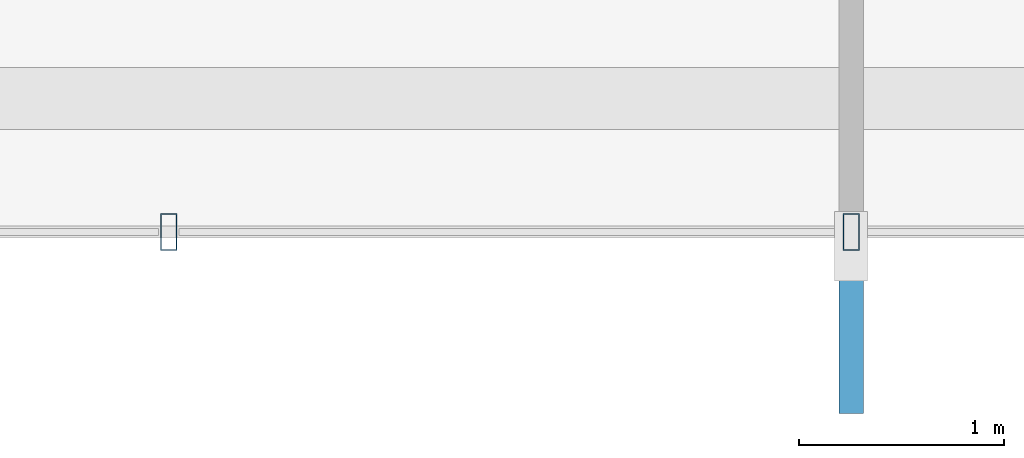
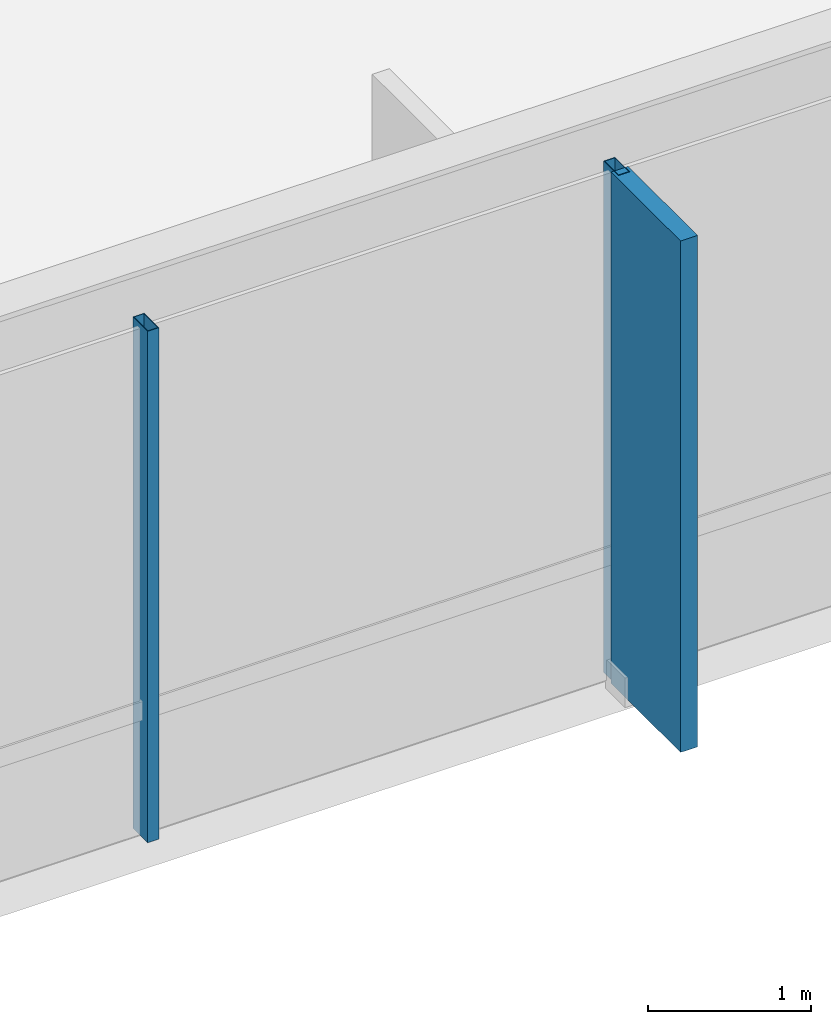
# One storey, part 8 of 25: 3 members, 1 element without a shape of its own.
"""IFC4 building model written with IfcOpenShell, lengths in metres."""

from ifc_helpers import new_model, si_unit, direction, frame, origin, origin_2d, place, context, subcontext, project, spatial, rectangle, hollow_rectangle, extrude, material, layer, layer_set, material_profile, profile_set, type_object, element, aggregate, save


model = new_model("IFC4")

# Units and contexts
model_context = context("Model", 3, precision=1e-05, world=origin(), true_north=direction((0.0, 1.0)))
body_context = subcontext(model_context, "Body", "Model", "MODEL_VIEW")
ifc_project = project(units=[si_unit("LENGTHUNIT", "METRE"), si_unit("AREAUNIT", "SQUARE_METRE"), si_unit("VOLUMEUNIT", "CUBIC_METRE"), si_unit("PLANEANGLEUNIT", "RADIAN"), si_unit("MASSUNIT", "GRAM", prefix="KILO")], contexts=[model_context])

# Site, building, storey
site_placement = place(None, origin())
site = spatial("IfcSite", under=ifc_project, at=site_placement, CompositionType="ELEMENT")
building_placement = place(site_placement, origin())
building = spatial("IfcBuilding", under=site, at=building_placement, Name="Zarrinselat Tower", CompositionType="ELEMENT")
storey_placement = place(building_placement, frame((0.0, 0.0, 56.10009765625)))
storey = spatial("IfcBuildingStorey", under=building, at=storey_placement, Name="L13", CompositionType="ELEMENT", Elevation=56.10009765625)

# Curtain wall, members
ifc_material_1 = material(Name="Extruded Aluminium Alloy EN AW-6063 T6", Category="aluminium")
ifc_layer = layer(ifc_material_1, 0.18505859375)
ifc_layer_set = layer_set([ifc_layer], Name="Extruded Aluminium Alloy EN AW-6063 T6")
curtain_wall_type = type_object("IfcCurtainWallType", Name="CWS-OFF", PredefinedType="NOTDEFINED", material=ifc_layer_set)
curtain_wall_placement = place(storey_placement, origin())
curtain_wall = element("IfcCurtainWall", 1, at=curtain_wall_placement, inside=storey, type_object=curtain_wall_type, Name="L13 Unitised Curtain Wall CW-L13-E04", PredefinedType="NOTDEFINED")
ifc_material_2 = material(Name="Extruded Aluminium Alloy EN AW-6063 T6", Category="aluminium")
ifc_material_profile_1 = material_profile(ifc_material_2, hollow_rectangle(XDim=0.080078125, YDim=0.179931640625, WallThickness=0.0048828125, at=origin_2d()), Name="RHS 180x80x5")
ifc_profile_set_1 = profile_set([ifc_material_profile_1], Name="Extruded Aluminium Alloy EN AW-6063 T6")
member_type_1 = type_object("IfcMemberType", Name="MEM-CW-MUL", PredefinedType="MULLION", material=ifc_profile_set_1)
member_1_placement = place(storey_placement, frame((41.97412109375, 18.86181640625, 0.0), z_axis=(0.0, 0.0, 1.0), x_axis=(1.0, 0.0, 0.0)))
member_1 = element("IfcMember", 2, at=member_1_placement, type_object=member_type_1, Name="CW-L13-E04 Mullion 4", PredefinedType="MULLION", context=body_context, shape_type="SweptSolid", body=[
    extrude(hollow_rectangle(XDim=0.080078125, YDim=0.179931640625, WallThickness=0.0048828125, at=origin_2d()), origin(), (0.0, 0.0, 1.0), 3.81982421875),
])
member_2_placement = place(storey_placement, frame((45.300048828125, 18.86181640625, 0.0), z_axis=(0.0, 0.0, 1.0), x_axis=(1.0, 0.0, 0.0)))
member_2 = element("IfcMember", 3, at=member_2_placement, type_object=member_type_1, Name="CW-L13-E04 Mullion 5", PredefinedType="MULLION", context=body_context, shape_type="SweptSolid", body=[
    extrude(hollow_rectangle(XDim=0.080078125, YDim=0.179931640625, WallThickness=0.0048828125, at=origin_2d()), origin(), (0.0, 0.0, 1.0), 3.81982421875),
])
ifc_material_3 = material(Name="Honed Cream Travertine Stone", Category="masonry")
ifc_material_profile_2 = material_profile(ifc_material_3, rectangle(XDim=0.1201171875, YDim=0.85009765625, at=origin_2d()), Name="FIN 850x120")
ifc_profile_set_2 = profile_set([ifc_material_profile_2], Name="Honed Cream Travertine Stone")
member_type_2 = type_object("IfcMemberType", Name="MEM-STONE-FIN", PredefinedType="USERDEFINED", material=ifc_profile_set_2)
member_3_placement = place(storey_placement, frame((45.300048828125, 18.401611328125, 0.0), z_axis=(0.0, 0.0, 1.0), x_axis=(-1.0, 0.0, 0.0)))
member_3 = element("IfcMember", 4, at=member_3_placement, type_object=member_type_2, Name="L13 Stone Shading Fin CW-L13-E04-05", ObjectType="FIN", PredefinedType="USERDEFINED", context=body_context, shape_type="SweptSolid", body=[
    extrude(rectangle(XDim=0.1201171875, YDim=0.85009765625, at=origin_2d()), origin(), (0.0, 0.0, 1.0), 3.81982421875),
])
aggregate(curtain_wall, [member_1, member_2, member_3])

save(model, "model.ifc")
